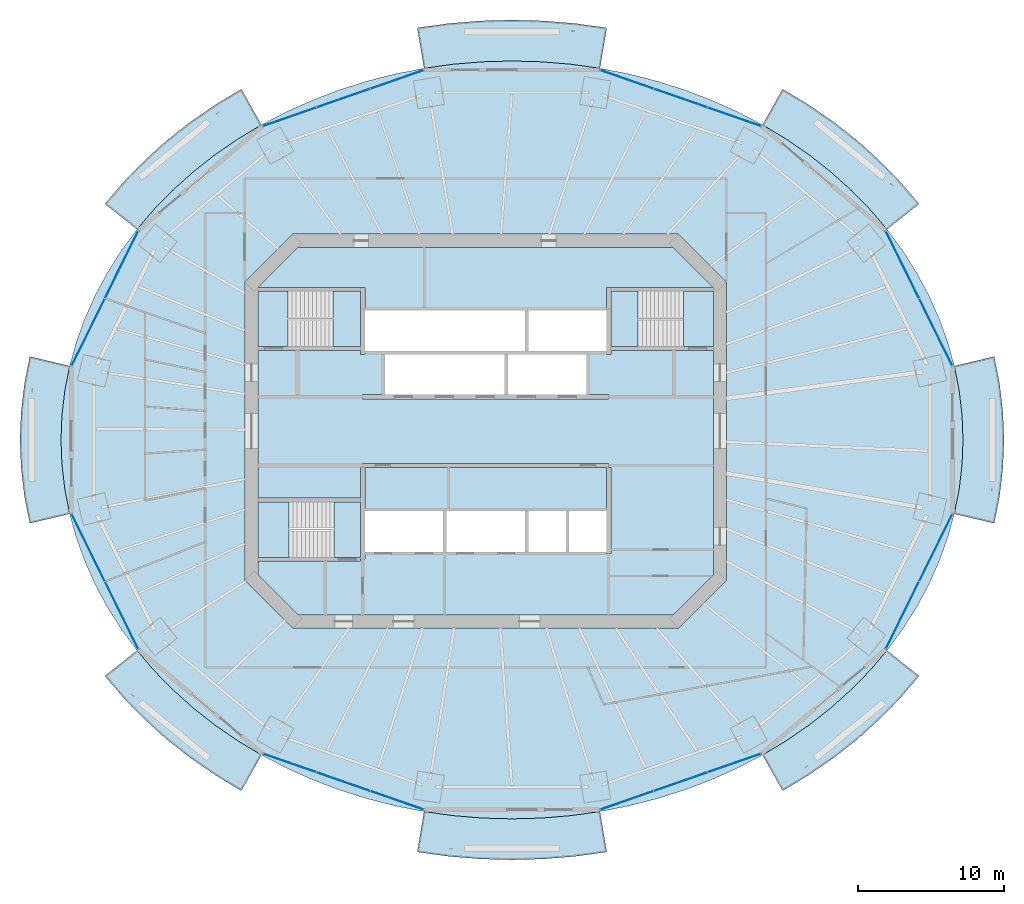
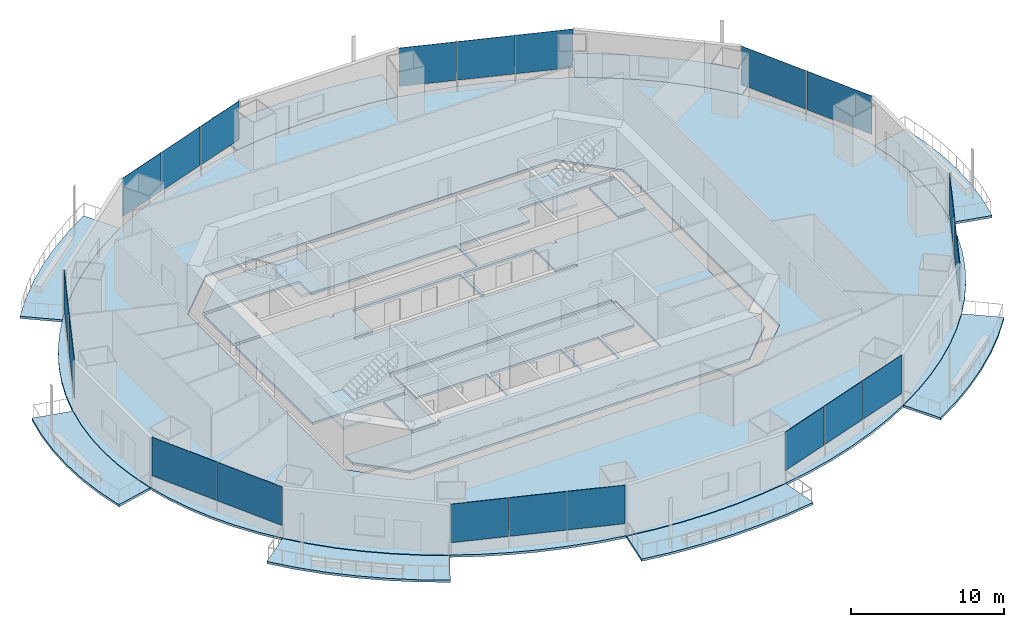
# One storey, part 9 of 19: 20 plates, 16 slabs, 11 elements without a shape of their own.
"""IFC4 building model written with IfcOpenShell, lengths in metres."""

from ifc_helpers import new_model, si_unit, direction, frame, origin, origin_2d, place, context, subcontext, project, spatial, polyline, rectangle, outline, extrude, material, layer, layer_set, type_object, element, aggregate, save


model = new_model("IFC4")

# Units and contexts
model_context = context("Model", 3, precision=1e-05, world=origin(), true_north=direction((0.0, 1.0)))
body_context = subcontext(model_context, "Body", "Model", "MODEL_VIEW")
ifc_project = project(units=[si_unit("LENGTHUNIT", "METRE"), si_unit("AREAUNIT", "SQUARE_METRE"), si_unit("VOLUMEUNIT", "CUBIC_METRE"), si_unit("PLANEANGLEUNIT", "RADIAN"), si_unit("MASSUNIT", "GRAM", prefix="KILO")], contexts=[model_context])

# Site, building, storey
site_placement = place(None, origin())
site = spatial("IfcSite", under=ifc_project, at=site_placement, CompositionType="ELEMENT")
building_placement = place(site_placement, origin())
building = spatial("IfcBuilding", under=site, at=building_placement, Name="Marenthal Gate Tower", CompositionType="ELEMENT")
storey_placement = place(building_placement, frame((0.0, 0.0, 227.449951171875)))
storey = spatial("IfcBuildingStorey", under=building, at=storey_placement, Name="L50", CompositionType="ELEMENT", Elevation=227.449951171875)

# Slabs
ifc_material_1 = material(Name="Concrete 40 MPa", Category="concrete")
ifc_layer_1 = layer(ifc_material_1, 0.179931640625)
ifc_layer_set_1 = layer_set([ifc_layer_1], Name="Balcony deck 180")
slab_type_1 = type_object("IfcSlabType", Name="Balcony deck 180", PredefinedType="USERDEFINED", material=ifc_layer_set_1)
slab_1_placement = place(storey_placement, frame((0.0, 0.0, -0.219970703125)))
element("IfcSlab", 1, at=slab_1_placement, inside=storey, type_object=slab_type_1, Name="Balcony deck L50 bay 2", ObjectType="BALCONY", PredefinedType="USERDEFINED", context=body_context, shape_type="SweptSolid", body=[
    extrude(outline(polyline([(27.416015625, 13.781005859375), (26.24169921875, 15.15771484375), (24.962646484375, 16.46728515625), (23.58447265625, 17.70361328125), (22.113037109375, 18.861328125), (20.5546875, 19.93603515625), (18.916015625, 20.922607421875), (20.28662109375, 23.3642578125), (22.072021484375, 22.289306640625), (23.774169921875, 21.115478515625), (25.3857421875, 19.84716796875), (26.899658203125, 18.489013671875), (28.30908203125, 17.0458984375), (29.607421875, 15.523681640625), (27.416015625, 13.781005859375)])), origin(), (0.0, 0.0, 1.0), 0.179931640625),
])
slab_2_placement = place(storey_placement, frame((0.0, 0.0, -0.219970703125)))
element("IfcSlab", 2, at=slab_2_placement, inside=storey, type_object=slab_type_1, Name="Balcony deck L50 bay 4", ObjectType="BALCONY", PredefinedType="USERDEFINED", context=body_context, shape_type="SweptSolid", body=[
    extrude(outline(polyline([(7.810302734375, 24.78759765625), (5.8212890625, 25.063720703125), (3.81494140625, 25.2294921875), (1.800048828125, 25.284912109375), (-0.21484375, 25.2294921875), (-2.22119140625, 25.063720703125), (-4.210205078125, 24.78759765625), (-4.671875, 27.54931640625), (-2.529052734375, 27.8466796875), (-0.368896484375, 28.025390625), (1.800048828125, 28.0849609375), (3.96875, 28.025390625), (6.129150390625, 27.8466796875), (8.27197265625, 27.54931640625), (7.810302734375, 24.78759765625)])), origin(), (0.0, 0.0, 1.0), 0.179931640625),
])
slab_3_placement = place(storey_placement, frame((0.0, 0.0, -0.219970703125)))
element("IfcSlab", 3, at=slab_3_placement, inside=storey, type_object=slab_type_1, Name="Balcony deck L50 bay 6", ObjectType="BALCONY", PredefinedType="USERDEFINED", context=body_context, shape_type="SweptSolid", body=[
    extrude(outline(polyline([(-15.31591796875, 20.922607421875), (-16.95458984375, 19.93603515625), (-18.51318359375, 18.861328125), (-19.984619140625, 17.70361328125), (-21.36279296875, 16.46728515625), (-22.6416015625, 15.15771484375), (-23.81591796875, 13.781005859375), (-26.00732421875, 15.523681640625), (-24.709228515625, 17.0458984375), (-23.2998046875, 18.489013671875), (-21.78564453125, 19.84716796875), (-20.174072265625, 21.115478515625), (-18.471923828125, 22.289306640625), (-16.686767578125, 23.3642578125), (-15.31591796875, 20.922607421875)])), origin(), (0.0, 0.0, 1.0), 0.179931640625),
])
slab_4_placement = place(storey_placement, frame((0.0, 0.0, -0.219970703125)))
element("IfcSlab", 4, at=slab_4_placement, inside=storey, type_object=slab_type_1, Name="Balcony deck L50 bay 8", ObjectType="BALCONY", PredefinedType="USERDEFINED", context=body_context, shape_type="SweptSolid", body=[
    extrude(outline(polyline([(-28.416015625, 4.449951171875), (-28.744384765625, 2.77880859375), (-28.94189453125, 1.093017578125), (-29.008056640625, -0.60009765625), (-28.94189453125, -2.29296875), (-28.744384765625, -3.978759765625), (-28.416015625, -5.64990234375), (-31.140625, -6.294921875), (-31.5107421875, -4.412109375), (-31.7333984375, -2.5107421875), (-31.80810546875, -0.60009765625), (-31.7333984375, 1.310791015625), (-31.5107421875, 3.212158203125), (-31.140625, 5.094970703125), (-28.416015625, 4.449951171875)])), origin(), (0.0, 0.0, 1.0), 0.179931640625),
])
slab_5_placement = place(storey_placement, frame((0.0, 0.0, -0.219970703125)))
element("IfcSlab", 5, at=slab_5_placement, inside=storey, type_object=slab_type_1, Name="Balcony deck L50 bay 10", ObjectType="BALCONY", PredefinedType="USERDEFINED", context=body_context, shape_type="SweptSolid", body=[
    extrude(outline(polyline([(-23.81591796875, -14.98095703125), (-22.6416015625, -16.35791015625), (-21.36279296875, -17.667236328125), (-19.984619140625, -18.903564453125), (-18.51318359375, -20.061279296875), (-16.95458984375, -21.135986328125), (-15.31591796875, -22.12255859375), (-16.686767578125, -24.564208984375), (-18.471923828125, -23.4892578125), (-20.174072265625, -22.315673828125), (-21.78564453125, -21.04736328125), (-23.2998046875, -19.68896484375), (-24.709228515625, -18.24609375), (-26.00732421875, -16.7236328125), (-23.81591796875, -14.98095703125)])), origin(), (0.0, 0.0, 1.0), 0.179931640625),
])
slab_6_placement = place(storey_placement, frame((0.0, 0.0, -0.219970703125)))
element("IfcSlab", 6, at=slab_6_placement, inside=storey, type_object=slab_type_1, Name="Balcony deck L50 bay 12", ObjectType="BALCONY", PredefinedType="USERDEFINED", context=body_context, shape_type="SweptSolid", body=[
    extrude(outline(polyline([(-4.210205078125, -25.987548828125), (-2.22119140625, -26.263671875), (-0.21484375, -26.4296875), (1.800048828125, -26.485107421875), (3.81494140625, -26.4296875), (5.8212890625, -26.263671875), (7.810302734375, -25.987548828125), (8.27197265625, -28.749267578125), (6.129150390625, -29.046630859375), (3.96875, -29.225341796875), (1.800048828125, -29.284912109375), (-0.368896484375, -29.225341796875), (-2.529052734375, -29.046630859375), (-4.671875, -28.749267578125), (-4.210205078125, -25.987548828125)])), origin(), (0.0, 0.0, 1.0), 0.179931640625),
])
slab_7_placement = place(storey_placement, frame((0.0, 0.0, -0.219970703125)))
element("IfcSlab", 7, at=slab_7_placement, inside=storey, type_object=slab_type_1, Name="Balcony deck L50 bay 14", ObjectType="BALCONY", PredefinedType="USERDEFINED", context=body_context, shape_type="SweptSolid", body=[
    extrude(outline(polyline([(18.916015625, -22.12255859375), (20.5546875, -21.135986328125), (22.113037109375, -20.061279296875), (23.58447265625, -18.903564453125), (24.962646484375, -17.667236328125), (26.24169921875, -16.35791015625), (27.416015625, -14.98095703125), (29.607421875, -16.7236328125), (28.30908203125, -18.24609375), (26.899658203125, -19.68896484375), (25.3857421875, -21.04736328125), (23.774169921875, -22.315673828125), (22.072021484375, -23.4892578125), (20.28662109375, -24.564208984375), (18.916015625, -22.12255859375)])), origin(), (0.0, 0.0, 1.0), 0.179931640625),
])
slab_8_placement = place(storey_placement, frame((0.0, 0.0, -0.219970703125)))
element("IfcSlab", 8, at=slab_8_placement, inside=storey, type_object=slab_type_1, Name="Balcony deck L50 bay 16", ObjectType="BALCONY", PredefinedType="USERDEFINED", context=body_context, shape_type="SweptSolid", body=[
    extrude(outline(polyline([(32.01611328125, -5.64990234375), (32.344482421875, -3.978759765625), (32.5419921875, -2.29296875), (32.60791015625, -0.60009765625), (32.5419921875, 1.093017578125), (32.344482421875, 2.77880859375), (32.01611328125, 4.449951171875), (34.74072265625, 5.094970703125), (35.110595703125, 3.212158203125), (35.33349609375, 1.310791015625), (35.407958984375, -0.60009765625), (35.33349609375, -2.5107421875), (35.110595703125, -4.412109375), (34.74072265625, -6.294921875), (32.01611328125, -5.64990234375)])), origin(), (0.0, 0.0, 1.0), 0.179931640625),
])
ifc_material_2 = material(Name="Concrete 50 MPa", Category="concrete")
ifc_layer_2 = layer(ifc_material_2, 0.179931640625)
ifc_layer_set_2 = layer_set([ifc_layer_2], Name="Core floor slab 180")
slab_type_2 = type_object("IfcSlabType", Name="Core floor slab 180", PredefinedType="FLOOR", material=ifc_layer_set_2)
slab_9_placement = place(storey_placement, frame((0.0, 0.0, -0.179931640625)))
element("IfcSlab", 9, at=slab_9_placement, inside=storey, type_object=slab_type_2, Name="Core floor L50", PredefinedType="FLOOR", context=body_context, shape_type="SweptSolid", body=[
    extrude(outline(polyline([(12.813720703125, -12.550048828125), (-12.813720703125, -12.550048828125), (-15.550048828125, -9.813720703125), (-15.550048828125, -8.875), (-8.550048828125, -8.875), (-8.550048828125, -8.75), (-8.25, -8.75), (-8.25, -8.239990234375), (-5.60009765625, -8.239990234375), (-2.909912109375, -8.239990234375), (-2.909912109375, -5.4599609375), (-5.60009765625, -5.4599609375), (-8.25, -5.4599609375), (-8.25, -2.5), (8.25, -2.5), (8.25, -5.4599609375), (5.7099609375, -5.4599609375), (5.7099609375, -8.239990234375), (8.25, -8.239990234375), (8.25, -8.35009765625), (8.550048828125, -8.35009765625), (8.550048828125, -2.5), (8.39990234375, -2.5), (8.39990234375, -2.199951171875), (-8.39990234375, -2.199951171875), (-8.39990234375, -2.5), (-8.550048828125, -2.5), (-8.550048828125, -4.574951171875), (-15.550048828125, -4.574951171875), (-15.550048828125, 5.52490234375), (-8.550048828125, 5.52490234375), (-8.550048828125, 5.239990234375), (-8.25, 5.239990234375), (-8.25, 5.4599609375), (-5.60009765625, 5.4599609375), (-2.800048828125, 5.4599609375), (0.0, 5.4599609375), (2.68994140625, 5.4599609375), (2.68994140625, 8.239990234375), (0.0, 8.239990234375), (-2.800048828125, 8.239990234375), (-5.60009765625, 8.239990234375), (-8.25, 8.239990234375), (-8.25, 8.35009765625), (-8.25, 9.824951171875), (-8.550048828125, 9.824951171875), (-15.53857421875, 9.824951171875), (-12.813720703125, 12.550048828125), (12.813720703125, 12.550048828125), (15.53857421875, 9.824951171875), (8.550048828125, 9.824951171875), (8.25, 9.824951171875), (8.25, 8.35009765625), (8.25, 8.239990234375), (5.60009765625, 8.239990234375), (2.909912109375, 8.239990234375), (2.909912109375, 5.4599609375), (5.60009765625, 5.4599609375), (8.25, 5.4599609375), (8.25, 5.239990234375), (8.550048828125, 5.239990234375), (8.550048828125, 5.52490234375), (15.550048828125, 5.52490234375), (15.550048828125, -9.813720703125), (12.813720703125, -12.550048828125)]), holes=[polyline([(2.68994140625, -8.239990234375), (2.68994140625, -5.4599609375), (0.0, -5.4599609375), (-2.68994140625, -5.4599609375), (-2.68994140625, -8.239990234375), (0.0, -8.239990234375), (2.68994140625, -8.239990234375)]), polyline([(-6.889892578125, 5.239990234375), (-6.889892578125, 2.5), (-8.39990234375, 2.5), (-8.39990234375, 2.199951171875), (8.39990234375, 2.199951171875), (8.39990234375, 2.5), (6.889892578125, 2.5), (6.889892578125, 5.239990234375), (4.199951171875, 5.239990234375), (1.510009765625, 5.239990234375), (1.510009765625, 2.5), (1.2900390625, 2.5), (1.2900390625, 5.239990234375), (-1.39990234375, 5.239990234375), (-4.199951171875, 5.239990234375), (-6.889892578125, 5.239990234375)]), polyline([(5.489990234375, -8.239990234375), (5.489990234375, -5.4599609375), (2.909912109375, -5.4599609375), (2.909912109375, -8.239990234375), (5.489990234375, -8.239990234375)])]), origin(), (0.0, 0.0, 1.0), 0.179931640625),
])
slab_10_placement = place(storey_placement, frame((0.0, 0.0, -0.179931640625)))
element("IfcSlab", 10, at=slab_10_placement, inside=storey, type_object=slab_type_2, Name="Core floor L50", PredefinedType="FLOOR", context=body_context, shape_type="SweptSolid", body=[
    extrude(outline(polyline([(15.550048828125, 5.77490234375), (13.5, 5.77490234375), (13.5, 9.574951171875), (15.550048828125, 9.574951171875), (15.550048828125, 5.77490234375)])), origin(), (0.0, 0.0, 1.0), 0.179931640625),
])
slab_11_placement = place(storey_placement, frame((0.0, 0.0, -0.179931640625)))
element("IfcSlab", 11, at=slab_11_placement, inside=storey, type_object=slab_type_2, Name="Core floor L50", PredefinedType="FLOOR", context=body_context, shape_type="SweptSolid", body=[
    extrude(outline(polyline([(-15.550048828125, 9.574951171875), (-13.5, 9.574951171875), (-13.5, 5.77490234375), (-15.550048828125, 5.77490234375), (-15.550048828125, 9.574951171875)])), origin(), (0.0, 0.0, 1.0), 0.179931640625),
])
slab_12_placement = place(storey_placement, frame((0.0, 0.0, -0.179931640625)))
element("IfcSlab", 12, at=slab_12_placement, inside=storey, type_object=slab_type_2, Name="Core floor L50", PredefinedType="FLOOR", context=body_context, shape_type="SweptSolid", body=[
    extrude(outline(polyline([(-8.550048828125, -8.625), (-10.35009765625, -8.625), (-10.35009765625, -4.824951171875), (-8.550048828125, -4.824951171875), (-8.550048828125, -8.625)])), origin(), (0.0, 0.0, 1.0), 0.179931640625),
])
ifc_material_3 = material(Name="Concrete 35 MPa", Category="concrete")
ifc_layer_3 = layer(ifc_material_3, 0.179931640625)
ifc_layer_set_3 = layer_set([ifc_layer_3], Name="Floor slab 180")
slab_type_3 = type_object("IfcSlabType", Name="Floor slab 180", PredefinedType="FLOOR", material=ifc_layer_set_3)
slab_13_placement = place(storey_placement, frame((0.0, 0.0, -0.179931640625)))
element("IfcSlab", 13, at=slab_13_placement, inside=storey, type_object=slab_type_3, Name="SL-L50-01", PredefinedType="FLOOR", context=body_context, shape_type="SweptSolid", body=[
    extrude(outline(polyline([(32.60791015625, -0.60009765625), (32.5419921875, 1.093017578125), (32.344482421875, 2.77880859375), (32.01611328125, 4.449951171875), (31.55810546875, 6.099609375), (30.972900390625, 7.720458984375), (30.262939453125, 9.305908203125), (29.430908203125, 10.8486328125), (28.48046875, 12.342529296875), (27.416015625, 13.781005859375), (26.24169921875, 15.15771484375), (24.962646484375, 16.46728515625), (23.58447265625, 17.70361328125), (22.113037109375, 18.861328125), (20.5546875, 19.93603515625), (18.916015625, 20.922607421875), (17.2041015625, 21.817138671875), (15.426025390625, 22.615478515625), (13.589599609375, 23.314697265625), (11.702880859375, 23.911376953125), (9.773681640625, 24.403076171875), (7.810302734375, 24.78759765625), (5.8212890625, 25.063720703125), (3.81494140625, 25.2294921875), (1.800048828125, 25.284912109375), (-0.21484375, 25.2294921875), (-2.22119140625, 25.063720703125), (-4.210205078125, 24.78759765625), (-6.173583984375, 24.403076171875), (-8.102783203125, 23.911376953125), (-9.98974609375, 23.314697265625), (-11.825927734375, 22.615478515625), (-13.60400390625, 21.817138671875), (-15.31591796875, 20.922607421875), (-16.95458984375, 19.93603515625), (-18.51318359375, 18.861328125), (-19.984619140625, 17.70361328125), (-21.36279296875, 16.46728515625), (-22.6416015625, 15.15771484375), (-23.81591796875, 13.781005859375), (-24.880615234375, 12.342529296875), (-25.830810546875, 10.8486328125), (-26.662841796875, 9.305908203125), (-27.373046875, 7.720458984375), (-27.958251953125, 6.099609375), (-28.416015625, 4.449951171875), (-28.744384765625, 2.77880859375), (-28.94189453125, 1.093017578125), (-29.008056640625, -0.60009765625), (-28.94189453125, -2.29296875), (-28.744384765625, -3.978759765625), (-28.416015625, -5.64990234375), (-27.958251953125, -7.299560546875), (-27.373046875, -8.92041015625), (-26.662841796875, -10.505859375), (-25.830810546875, -12.048583984375), (-24.880615234375, -13.54248046875), (-23.81591796875, -14.98095703125), (-22.6416015625, -16.35791015625), (-21.36279296875, -17.667236328125), (-19.984619140625, -18.903564453125), (-18.51318359375, -20.061279296875), (-16.95458984375, -21.135986328125), (-15.31591796875, -22.12255859375), (-13.60400390625, -23.01708984375), (-11.825927734375, -23.815673828125), (-9.98974609375, -24.5146484375), (-8.102783203125, -25.111328125), (-6.173583984375, -25.60302734375), (-4.210205078125, -25.987548828125), (-2.22119140625, -26.263671875), (-0.21484375, -26.4296875), (1.800048828125, -26.485107421875), (3.81494140625, -26.4296875), (5.8212890625, -26.263671875), (7.810302734375, -25.987548828125), (9.773681640625, -25.60302734375), (11.702880859375, -25.111328125), (13.589599609375, -24.5146484375), (15.426025390625, -23.815673828125), (17.2041015625, -23.01708984375), (18.916015625, -22.12255859375), (20.5546875, -21.135986328125), (22.113037109375, -20.061279296875), (23.58447265625, -18.903564453125), (24.962646484375, -17.667236328125), (26.24169921875, -16.35791015625), (27.416015625, -14.98095703125), (28.48046875, -13.54248046875), (29.430908203125, -12.048583984375), (30.262939453125, -10.505859375), (30.972900390625, -8.92041015625), (31.55810546875, -7.299560546875), (32.01611328125, -5.64990234375), (32.344482421875, -3.978759765625), (32.5419921875, -2.29296875), (32.60791015625, -0.60009765625)]), holes=[polyline([(13.186279296875, -13.449951171875), (16.449951171875, -10.186279296875), (16.449951171875, 10.186279296875), (13.186279296875, 13.449951171875), (-13.186279296875, 13.449951171875), (-16.449951171875, 10.186279296875), (-16.449951171875, -10.186279296875), (-13.186279296875, -13.449951171875), (13.186279296875, -13.449951171875)])]), origin(), (0.0, 0.0, 1.0), 0.179931640625),
])

# Curtain wall, plates
ifc_material_4 = material(Name="Aluminium and glass", Category="aluminium")
curtain_wall_type = type_object("IfcCurtainWallType", Name="Curtain wall typical mid", PredefinedType="NOTDEFINED", material=ifc_material_4)
curtain_wall_1_placement = place(storey_placement, origin())
curtain_wall_1 = element("IfcCurtainWall", 14, at=curtain_wall_1_placement, inside=storey, type_object=curtain_wall_type, Name="Curtain wall L50 bay 1", PredefinedType="NOTDEFINED")
ifc_material_5 = material(Name="Glass, laminated insulating unit", Category="glass")
ifc_layer_4 = layer(ifc_material_5, 0.030029296875)
ifc_layer_set_4 = layer_set([ifc_layer_4], Name="Glass panel 30 typical mid")
plate_type = type_object("IfcPlateType", Name="Glass panel 30 typical mid", PredefinedType="CURTAIN_PANEL", material=ifc_layer_set_4)
plate_1_placement = place(storey_placement, frame((30.74609375, 6.761962890625, 0.89990234375), z_axis=(0.0, 0.0, 1.0), x_axis=(-0.442441217329, 0.896797507361, 0.0)))
plate_1 = element("IfcPlate", 15, at=plate_1_placement, type_object=plate_type, Name="Glass panel L50 bay 1.1", PredefinedType="CURTAIN_PANEL", context=body_context, shape_type="SweptSolid", body=[
    extrude(rectangle(XDim=5.08837890625, YDim=0.030029296875, at=origin_2d()), origin(), (0.0, 0.0, 1.0), 3.070068359375),
])
plate_2_placement = place(storey_placement, frame((28.46826171875, 11.37890625, 0.89990234375), z_axis=(0.0, 0.0, 1.0), x_axis=(-0.442441217329, 0.896797507361, 0.0)))
plate_2 = element("IfcPlate", 16, at=plate_2_placement, type_object=plate_type, Name="Glass panel L50 bay 1.2", PredefinedType="CURTAIN_PANEL", context=body_context, shape_type="SweptSolid", body=[
    extrude(rectangle(XDim=5.08837890625, YDim=0.030029296875, at=origin_2d()), origin(), (0.0, 0.0, 1.0), 3.070068359375),
])
aggregate(curtain_wall_1, [plate_1, plate_2])

curtain_wall_2_placement = place(storey_placement, origin())
curtain_wall_2 = element("IfcCurtainWall", 17, at=curtain_wall_2_placement, inside=storey, type_object=curtain_wall_type, Name="Curtain wall L50 bay 3", PredefinedType="NOTDEFINED")
plate_3_placement = place(storey_placement, frame((16.986572265625, 21.470458984375, 0.89990234375), z_axis=(0.0, 0.0, 1.0), x_axis=(-0.94451510961, 0.328467970612, 0.0)))
plate_3 = element("IfcPlate", 18, at=plate_3_placement, type_object=plate_type, Name="Glass panel L50 bay 3.1", PredefinedType="CURTAIN_PANEL", context=body_context, shape_type="SweptSolid", body=[
    extrude(rectangle(XDim=3.82421875, YDim=0.030029296875, at=origin_2d()), origin(), (0.0, 0.0, 1.0), 3.070068359375),
])
plate_4_placement = place(storey_placement, frame((13.318115234375, 22.746337890625, 0.89990234375), z_axis=(0.0, 0.0, 1.0), x_axis=(-0.94451510961, 0.328467970612, 0.0)))
plate_4 = element("IfcPlate", 19, at=plate_4_placement, type_object=plate_type, Name="Glass panel L50 bay 3.2", PredefinedType="CURTAIN_PANEL", context=body_context, shape_type="SweptSolid", body=[
    extrude(rectangle(XDim=3.82421875, YDim=0.030029296875, at=origin_2d()), origin(), (0.0, 0.0, 1.0), 3.070068359375),
])
plate_5_placement = place(storey_placement, frame((9.6494140625, 24.022216796875, 0.89990234375), z_axis=(0.0, 0.0, 1.0), x_axis=(-0.94451510961, 0.328467970612, 0.0)))
plate_5 = element("IfcPlate", 20, at=plate_5_placement, type_object=plate_type, Name="Glass panel L50 bay 3.3", PredefinedType="CURTAIN_PANEL", context=body_context, shape_type="SweptSolid", body=[
    extrude(rectangle(XDim=3.82421875, YDim=0.030029296875, at=origin_2d()), origin(), (0.0, 0.0, 1.0), 3.070068359375),
])
aggregate(curtain_wall_2, [plate_3, plate_4, plate_5])

curtain_wall_3_placement = place(storey_placement, origin())
curtain_wall_3 = element("IfcCurtainWall", 21, at=curtain_wall_3_placement, inside=storey, type_object=curtain_wall_type, Name="Curtain wall L50 bay 5", PredefinedType="NOTDEFINED")
plate_6_placement = place(storey_placement, frame((-6.049560546875, 24.022216796875, 0.89990234375), z_axis=(0.0, 0.0, 1.0), x_axis=(-0.94451510961, -0.328467970612, 0.0)))
plate_6 = element("IfcPlate", 22, at=plate_6_placement, type_object=plate_type, Name="Glass panel L50 bay 5.1", PredefinedType="CURTAIN_PANEL", context=body_context, shape_type="SweptSolid", body=[
    extrude(rectangle(XDim=3.82421875, YDim=0.030029296875, at=origin_2d()), origin(), (0.0, 0.0, 1.0), 3.070068359375),
])
plate_7_placement = place(storey_placement, frame((-9.718017578125, 22.746337890625, 0.89990234375), z_axis=(0.0, 0.0, 1.0), x_axis=(-0.94451510961, -0.328467970612, 0.0)))
plate_7 = element("IfcPlate", 23, at=plate_7_placement, type_object=plate_type, Name="Glass panel L50 bay 5.2", PredefinedType="CURTAIN_PANEL", context=body_context, shape_type="SweptSolid", body=[
    extrude(rectangle(XDim=3.82421875, YDim=0.030029296875, at=origin_2d()), origin(), (0.0, 0.0, 1.0), 3.070068359375),
])
plate_8_placement = place(storey_placement, frame((-13.38671875, 21.470458984375, 0.89990234375), z_axis=(0.0, 0.0, 1.0), x_axis=(-0.94451510961, -0.328467970612, 0.0)))
plate_8 = element("IfcPlate", 24, at=plate_8_placement, type_object=plate_type, Name="Glass panel L50 bay 5.3", PredefinedType="CURTAIN_PANEL", context=body_context, shape_type="SweptSolid", body=[
    extrude(rectangle(XDim=3.82421875, YDim=0.030029296875, at=origin_2d()), origin(), (0.0, 0.0, 1.0), 3.070068359375),
])
aggregate(curtain_wall_3, [plate_6, plate_7, plate_8])

curtain_wall_4_placement = place(storey_placement, origin())
curtain_wall_4 = element("IfcCurtainWall", 25, at=curtain_wall_4_placement, inside=storey, type_object=curtain_wall_type, Name="Curtain wall L50 bay 7", PredefinedType="NOTDEFINED")
plate_9_placement = place(storey_placement, frame((-24.8681640625, 11.37890625, 0.89990234375), z_axis=(0.0, 0.0, 1.0), x_axis=(-0.442441217329, -0.896797507361, 0.0)))
plate_9 = element("IfcPlate", 26, at=plate_9_placement, type_object=plate_type, Name="Glass panel L50 bay 7.1", PredefinedType="CURTAIN_PANEL", context=body_context, shape_type="SweptSolid", body=[
    extrude(rectangle(XDim=5.08837890625, YDim=0.030029296875, at=origin_2d()), origin(), (0.0, 0.0, 1.0), 3.070068359375),
])
plate_10_placement = place(storey_placement, frame((-27.14599609375, 6.761962890625, 0.89990234375), z_axis=(0.0, 0.0, 1.0), x_axis=(-0.442441217329, -0.896797507361, 0.0)))
plate_10 = element("IfcPlate", 27, at=plate_10_placement, type_object=plate_type, Name="Glass panel L50 bay 7.2", PredefinedType="CURTAIN_PANEL", context=body_context, shape_type="SweptSolid", body=[
    extrude(rectangle(XDim=5.08837890625, YDim=0.030029296875, at=origin_2d()), origin(), (0.0, 0.0, 1.0), 3.070068359375),
])
aggregate(curtain_wall_4, [plate_9, plate_10])

curtain_wall_5_placement = place(storey_placement, origin())
curtain_wall_5 = element("IfcCurtainWall", 28, at=curtain_wall_5_placement, inside=storey, type_object=curtain_wall_type, Name="Curtain wall L50 bay 9", PredefinedType="NOTDEFINED")
plate_11_placement = place(storey_placement, frame((-27.14599609375, -7.9619140625, 0.89990234375), z_axis=(0.0, 0.0, 1.0), x_axis=(0.442441217329, -0.896797507361, 0.0)))
plate_11 = element("IfcPlate", 29, at=plate_11_placement, type_object=plate_type, Name="Glass panel L50 bay 9.1", PredefinedType="CURTAIN_PANEL", context=body_context, shape_type="SweptSolid", body=[
    extrude(rectangle(XDim=5.08837890625, YDim=0.030029296875, at=origin_2d()), origin(), (0.0, 0.0, 1.0), 3.070068359375),
])
plate_12_placement = place(storey_placement, frame((-24.868408203125, -12.578857421875, 0.89990234375), z_axis=(0.0, 0.0, 1.0), x_axis=(0.442441217329, -0.896797507361, 0.0)))
plate_12 = element("IfcPlate", 30, at=plate_12_placement, type_object=plate_type, Name="Glass panel L50 bay 9.2", PredefinedType="CURTAIN_PANEL", context=body_context, shape_type="SweptSolid", body=[
    extrude(rectangle(XDim=5.08837890625, YDim=0.030029296875, at=origin_2d()), origin(), (0.0, 0.0, 1.0), 3.070068359375),
])
aggregate(curtain_wall_5, [plate_11, plate_12])

curtain_wall_6_placement = place(storey_placement, origin())
curtain_wall_6 = element("IfcCurtainWall", 31, at=curtain_wall_6_placement, inside=storey, type_object=curtain_wall_type, Name="Curtain wall L50 bay 11", PredefinedType="NOTDEFINED")
plate_13_placement = place(storey_placement, frame((-13.38671875, -22.670654296875, 0.89990234375), z_axis=(0.0, 0.0, 1.0), x_axis=(0.94451510961, -0.328467970612, 0.0)))
plate_13 = element("IfcPlate", 32, at=plate_13_placement, type_object=plate_type, Name="Glass panel L50 bay 11.1", PredefinedType="CURTAIN_PANEL", context=body_context, shape_type="SweptSolid", body=[
    extrude(rectangle(XDim=3.82421875, YDim=0.030029296875, at=origin_2d()), origin(), (0.0, 0.0, 1.0), 3.070068359375),
])
plate_14_placement = place(storey_placement, frame((-9.718017578125, -23.9462890625, 0.89990234375), z_axis=(0.0, 0.0, 1.0), x_axis=(0.94451510961, -0.328467970612, 0.0)))
plate_14 = element("IfcPlate", 33, at=plate_14_placement, type_object=plate_type, Name="Glass panel L50 bay 11.2", PredefinedType="CURTAIN_PANEL", context=body_context, shape_type="SweptSolid", body=[
    extrude(rectangle(XDim=3.82421875, YDim=0.030029296875, at=origin_2d()), origin(), (0.0, 0.0, 1.0), 3.070068359375),
])
plate_15_placement = place(storey_placement, frame((-6.049560546875, -25.22216796875, 0.89990234375), z_axis=(0.0, 0.0, 1.0), x_axis=(0.94451510961, -0.328467970612, 0.0)))
plate_15 = element("IfcPlate", 34, at=plate_15_placement, type_object=plate_type, Name="Glass panel L50 bay 11.3", PredefinedType="CURTAIN_PANEL", context=body_context, shape_type="SweptSolid", body=[
    extrude(rectangle(XDim=3.82421875, YDim=0.030029296875, at=origin_2d()), origin(), (0.0, 0.0, 1.0), 3.070068359375),
])
aggregate(curtain_wall_6, [plate_13, plate_14, plate_15])

curtain_wall_7_placement = place(storey_placement, origin())
curtain_wall_7 = element("IfcCurtainWall", 35, at=curtain_wall_7_placement, inside=storey, type_object=curtain_wall_type, Name="Curtain wall L50 bay 13", PredefinedType="NOTDEFINED")
plate_16_placement = place(storey_placement, frame((9.6494140625, -25.22216796875, 0.89990234375), z_axis=(0.0, 0.0, 1.0), x_axis=(0.94451510961, 0.328467970612, 0.0)))
plate_16 = element("IfcPlate", 36, at=plate_16_placement, type_object=plate_type, Name="Glass panel L50 bay 13.1", PredefinedType="CURTAIN_PANEL", context=body_context, shape_type="SweptSolid", body=[
    extrude(rectangle(XDim=3.82421875, YDim=0.030029296875, at=origin_2d()), origin(), (0.0, 0.0, 1.0), 3.070068359375),
])
plate_17_placement = place(storey_placement, frame((13.318115234375, -23.9462890625, 0.89990234375), z_axis=(0.0, 0.0, 1.0), x_axis=(0.94451510961, 0.328467970612, 0.0)))
plate_17 = element("IfcPlate", 37, at=plate_17_placement, type_object=plate_type, Name="Glass panel L50 bay 13.2", PredefinedType="CURTAIN_PANEL", context=body_context, shape_type="SweptSolid", body=[
    extrude(rectangle(XDim=3.82421875, YDim=0.030029296875, at=origin_2d()), origin(), (0.0, 0.0, 1.0), 3.070068359375),
])
plate_18_placement = place(storey_placement, frame((16.98681640625, -22.670654296875, 0.89990234375), z_axis=(0.0, 0.0, 1.0), x_axis=(0.94451510961, 0.328467970612, 0.0)))
plate_18 = element("IfcPlate", 38, at=plate_18_placement, type_object=plate_type, Name="Glass panel L50 bay 13.3", PredefinedType="CURTAIN_PANEL", context=body_context, shape_type="SweptSolid", body=[
    extrude(rectangle(XDim=3.82421875, YDim=0.030029296875, at=origin_2d()), origin(), (0.0, 0.0, 1.0), 3.070068359375),
])
aggregate(curtain_wall_7, [plate_16, plate_17, plate_18])

curtain_wall_8_placement = place(storey_placement, origin())
curtain_wall_8 = element("IfcCurtainWall", 39, at=curtain_wall_8_placement, inside=storey, type_object=curtain_wall_type, Name="Curtain wall L50 bay 15", PredefinedType="NOTDEFINED")
plate_19_placement = place(storey_placement, frame((28.46826171875, -12.578857421875, 0.89990234375), z_axis=(0.0, 0.0, 1.0), x_axis=(0.442441217329, 0.896797507361, 0.0)))
plate_19 = element("IfcPlate", 40, at=plate_19_placement, type_object=plate_type, Name="Glass panel L50 bay 15.1", PredefinedType="CURTAIN_PANEL", context=body_context, shape_type="SweptSolid", body=[
    extrude(rectangle(XDim=5.08837890625, YDim=0.030029296875, at=origin_2d()), origin(), (0.0, 0.0, 1.0), 3.070068359375),
])
plate_20_placement = place(storey_placement, frame((30.74609375, -7.9619140625, 0.89990234375), z_axis=(0.0, 0.0, 1.0), x_axis=(0.442441217329, 0.896797507361, 0.0)))
plate_20 = element("IfcPlate", 41, at=plate_20_placement, type_object=plate_type, Name="Glass panel L50 bay 15.2", PredefinedType="CURTAIN_PANEL", context=body_context, shape_type="SweptSolid", body=[
    extrude(rectangle(XDim=5.08837890625, YDim=0.030029296875, at=origin_2d()), origin(), (0.0, 0.0, 1.0), 3.070068359375),
])
aggregate(curtain_wall_8, [plate_19, plate_20])

# Stair, slab
ifc_material_6 = material(Name="Concrete 40 MPa", Category="concrete")
stair_type = type_object("IfcStairType", Name="Exit stair 1800", PredefinedType="HALF_TURN_STAIR", material=ifc_material_6)
stair_1_placement = place(storey_placement, origin())
stair_1 = element("IfcStair", 42, at=stair_1_placement, inside=storey, type_object=stair_type, Name="Stair ST1", PredefinedType="HALF_TURN_STAIR")
ifc_material_7 = material(Name="Concrete 40 MPa", Category="concrete")
ifc_layer_5 = layer(ifc_material_7, 0.199951171875)
ifc_layer_set_5 = layer_set([ifc_layer_5], Name="Stair landing 200")
slab_type_4 = type_object("IfcSlabType", Name="Stair landing 200", PredefinedType="LANDING", material=ifc_layer_set_5)
slab_14_placement = place(storey_placement, frame((0.0, 0.0, 1.875)))
slab_14 = element("IfcSlab", 43, at=slab_14_placement, type_object=slab_type_4, Name="ST1 landing 1", PredefinedType="LANDING", context=body_context, shape_type="SweptSolid", body=[
    extrude(outline(polyline([(-10.419921875, 5.77490234375), (-8.550048828125, 5.77490234375), (-8.550048828125, 9.574951171875), (-10.419921875, 9.574951171875), (-10.419921875, 5.77490234375)])), origin(), (0.0, 0.0, 1.0), 0.199951171875),
])
aggregate(stair_1, [slab_14])

stair_2_placement = place(storey_placement, origin())
stair_2 = element("IfcStair", 44, at=stair_2_placement, inside=storey, type_object=stair_type, Name="Stair ST2", PredefinedType="HALF_TURN_STAIR")
slab_15_placement = place(storey_placement, frame((0.0, 0.0, 1.875)))
slab_15 = element("IfcSlab", 45, at=slab_15_placement, type_object=slab_type_4, Name="ST2 landing 1", PredefinedType="LANDING", context=body_context, shape_type="SweptSolid", body=[
    extrude(outline(polyline([(-15.550048828125, -8.625), (-13.429931640625, -8.625), (-13.429931640625, -4.824951171875), (-15.550048828125, -4.824951171875), (-15.550048828125, -8.625)])), origin(), (0.0, 0.0, 1.0), 0.199951171875),
])
aggregate(stair_2, [slab_15])

stair_3_placement = place(storey_placement, origin())
stair_3 = element("IfcStair", 46, at=stair_3_placement, inside=storey, type_object=stair_type, Name="Stair ST3", PredefinedType="HALF_TURN_STAIR")
slab_16_placement = place(storey_placement, frame((0.0, 0.0, 1.875)))
slab_16 = element("IfcSlab", 47, at=slab_16_placement, type_object=slab_type_4, Name="ST3 landing 1", PredefinedType="LANDING", context=body_context, shape_type="SweptSolid", body=[
    extrude(outline(polyline([(8.550048828125, 5.77490234375), (10.419921875, 5.77490234375), (10.419921875, 9.574951171875), (8.550048828125, 9.574951171875), (8.550048828125, 5.77490234375)])), origin(), (0.0, 0.0, 1.0), 0.199951171875),
])
aggregate(stair_3, [slab_16])

save(model, "model.ifc")
